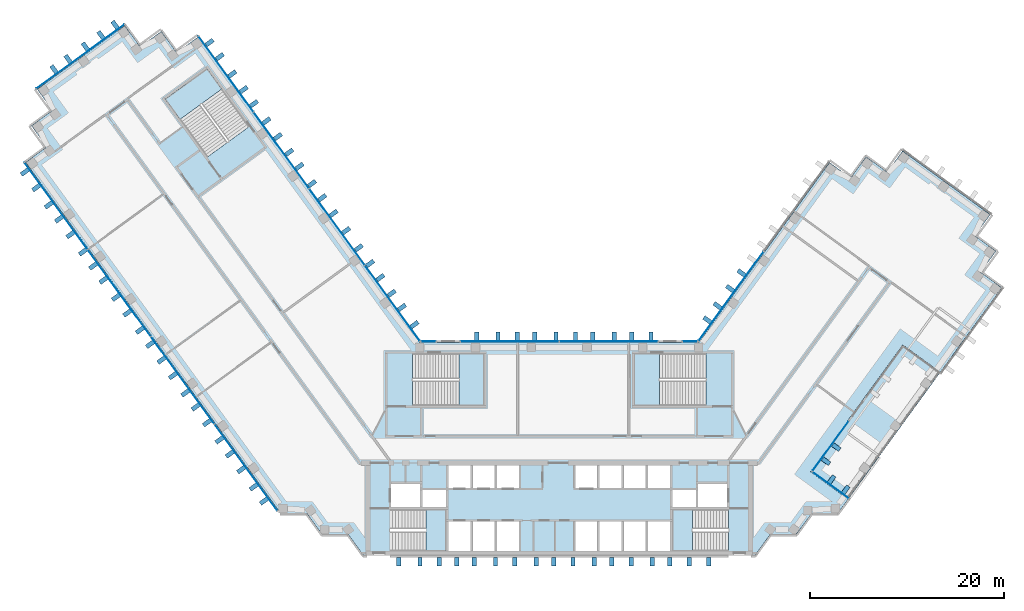
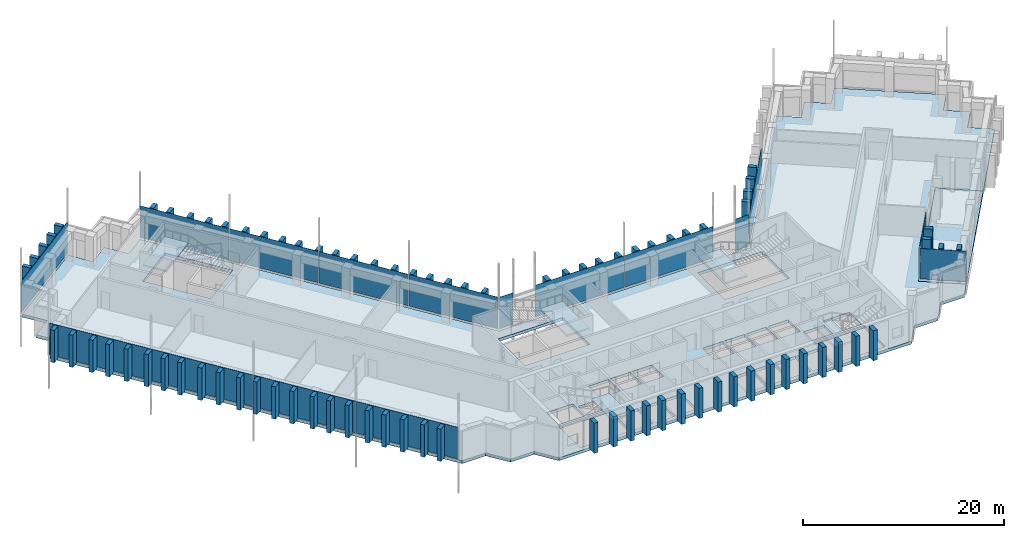
# One storey, part 7 of 17: 97 plates, 7 slabs, 14 elements without a shape of their own.
"""IFC4 building model written with IfcOpenShell, lengths in metres."""

import ifcopenshell
import ifcopenshell.guid

model = None  # the IFC model being written
_history = None  # IfcOwnerHistory: only IFC2X3 demands one
_inside = {}  # id of a spatial element -> (the spatial element, [elements in it])
_under = {}  # id of a project, library or spatial element -> (it, [spatial elements below it])
_declared = {}  # id of a project -> (the project, [libraries it declares])
_typed = {}  # id of a type object -> (the type object, [elements of that type])
_made_of = {}  # id of a material, layer set ... -> (it, [elements and type objects made of it])


def new_model(schema):
    """Start an empty IFC model of exactly this schema.

    Asked for "IFC4X3", IfcOpenShell would pick the latest addendum, in which some entities
    have other attributes; the version numbers below select the first issue.
    IFC2X3 requires an IfcOwnerHistory on every rooted entity: one is made here for all.
    """
    global model, _history
    if schema == "IFC4X3":
        model = ifcopenshell.file(schema_version=(4, 3, 0, 0))
    else:
        model = ifcopenshell.file(schema=schema)
    _inside.clear()
    _under.clear()
    _declared.clear()
    _typed.clear()
    _made_of.clear()
    _history = None
    if model.schema == "IFC2X3":
        org = make("IfcOrganization", Name="unknown")
        user = make(
            "IfcPersonAndOrganization",
            ThePerson=make("IfcPerson", FamilyName="unknown"),
            TheOrganization=org,
        )
        app = make(
            "IfcApplication",
            ApplicationDeveloper=org,
            Version="unknown",
            ApplicationFullName="unknown",
            ApplicationIdentifier="unknown",
        )
        _history = make(
            "IfcOwnerHistory",
            OwningUser=user,
            OwningApplication=app,
            ChangeAction="ADDED",
            CreationDate=0,
        )
    return model


def make(cls, **values):
    """One entity of the class cls with the attributes given. An attribute that is None is left unset."""
    return model.create_entity(
        cls, **{name: value for name, value in values.items() if value is not None}
    )


def rooted(cls, **values):
    """An entity with a GlobalId (a new one), such as an element, a storey or a relation."""
    return make(cls, GlobalId=ifcopenshell.guid.new(), OwnerHistory=_history, **values)


def si_unit(unit_type, name, prefix=None):
    """IfcSIUnit, for example si_unit("LENGTHUNIT", "METRE", prefix="MILLI")."""
    return make("IfcSIUnit", UnitType=unit_type, Prefix=prefix, Name=name)


def assignment(units):
    """IfcUnitAssignment: the units of a project."""
    return None if units is None else make("IfcUnitAssignment", Units=units)


def point(xyz):
    """IfcCartesianPoint."""
    return None if xyz is None else make("IfcCartesianPoint", Coordinates=xyz)


def direction(xyz):
    """IfcDirection."""
    return None if xyz is None else make("IfcDirection", DirectionRatios=xyz)


def frame(location, z_axis=None, x_axis=None):
    """IfcAxis2Placement3D, a coordinate frame: its origin and axes. An axis left out is left unset."""
    return make(
        "IfcAxis2Placement3D",
        Location=point(location),
        Axis=direction(z_axis),
        RefDirection=direction(x_axis),
    )


def frame_2d(location, x_axis=None):
    """IfcAxis2Placement2D, a coordinate frame in the plane: its origin and x axis."""
    return make(
        "IfcAxis2Placement2D", Location=point(location), RefDirection=direction(x_axis)
    )


def origin():
    """The frame at (0, 0, 0) with its axes left unset."""
    return frame((0.0, 0.0, 0.0))


def origin_2d():
    """The frame at (0, 0) in the plane with its x axis left unset."""
    return frame_2d((0.0, 0.0))


def place(relative_to, where):
    """IfcLocalPlacement: puts the frame where relative to a parent placement (None: the world)."""
    return make(
        "IfcLocalPlacement", PlacementRelTo=relative_to, RelativePlacement=where
    )


def context(
    kind, dimensions, precision=None, world=None, true_north=None, identifier=None
):
    """IfcGeometricRepresentationContext, for example the 3D "Model" context."""
    return make(
        "IfcGeometricRepresentationContext",
        ContextIdentifier=identifier,
        ContextType=kind,
        CoordinateSpaceDimension=dimensions,
        Precision=precision,
        WorldCoordinateSystem=world,
        TrueNorth=true_north,
    )


def subcontext(parent, identifier, kind, view, scale=None):
    """IfcGeometricRepresentationSubContext, for example "Body" below "Model"."""
    return make(
        "IfcGeometricRepresentationSubContext",
        ContextIdentifier=identifier,
        ContextType=kind,
        ParentContext=parent,
        TargetScale=scale,
        TargetView=view,
    )


def project(units=None, contexts=None):
    """IfcProject with its units and contexts."""
    return rooted(
        "IfcProject",
        Name="project",
        RepresentationContexts=contexts,
        UnitsInContext=assignment(units),
    )


def spatial(cls, under=None, at=None, **own):
    """A site, building, storey or space (cls), placed at a placement, below another one or the project."""
    s = rooted(cls, ObjectPlacement=at, **own)
    if under is not None:
        _under.setdefault(under.id(), (under, []))[1].append(s)
    return s


def polyline(points):
    """IfcPolyline through the points."""
    return make("IfcPolyline", Points=[point(p) for p in points])


def profile(cls, at=None, kind="AREA", **sizes):
    """A parametric profile (cls). Its sizes go by their IFC names, for example OverallWidth=200.0."""
    return make(cls, ProfileType=kind, Position=at, **sizes)


def rectangle(**sizes):
    """IfcRectangleProfileDef."""
    return profile("IfcRectangleProfileDef", **sizes)


def outline(outer, holes=None, kind="AREA"):
    """IfcArbitraryClosedProfileDef: a profile drawn as a closed curve; with holes, ...WithVoids."""
    if holes is None:
        return make("IfcArbitraryClosedProfileDef", ProfileType=kind, OuterCurve=outer)
    return make(
        "IfcArbitraryProfileDefWithVoids",
        ProfileType=kind,
        OuterCurve=outer,
        InnerCurves=holes,
    )


def extrude(swept, where, along, depth):
    """IfcExtrudedAreaSolid: the profile swept, set in the frame where, extruded along a direction by depth."""
    return make(
        "IfcExtrudedAreaSolid",
        SweptArea=swept,
        Position=where,
        ExtrudedDirection=direction(along),
        Depth=depth,
    )


def shape(context_of_items, identifier, shape_type, items):
    """IfcShapeRepresentation: the items that make up one representation, for example the "Body"."""
    return make(
        "IfcShapeRepresentation",
        ContextOfItems=context_of_items,
        RepresentationIdentifier=identifier,
        RepresentationType=shape_type,
        Items=items,
    )


def material(Name=None, Category=None):
    """IfcMaterial."""
    return make("IfcMaterial", Name=Name, Category=Category)


def layer(
    of_material, thickness, ventilated=None, Name=None, Category=None, Priority=None
):
    """IfcMaterialLayer: one layer of a wall or slab, of a material (None: an air gap)."""
    return make(
        "IfcMaterialLayer",
        Material=of_material,
        LayerThickness=thickness,
        IsVentilated=ventilated,
        Name=Name,
        Category=Category,
        Priority=Priority,
    )


def layer_set(layers, Name=None):
    """IfcMaterialLayerSet."""
    return make("IfcMaterialLayerSet", MaterialLayers=layers, LayerSetName=Name)


def made_of(thing, what):
    """Note that an element or type object is made of a material, layer set ...; save() writes the relation."""
    if what is not None:
        _made_of.setdefault(what.id(), (what, []))[1].append(thing)
    return thing


def type_object(cls, material=None, **own):
    """A type object (cls), such as IfcWallType, which elements share."""
    return made_of(rooted(cls, **own), material)


def element(
    cls,
    number,
    at=None,
    inside=None,
    cuts=None,
    type_object=None,
    material=None,
    context=None,
    identifier="Body",
    shape_type=None,
    held_by="IfcProductDefinitionShape",
    body=None,
    shapes=None,
    **own,
):
    """One element of the class cls, such as IfcWall. Its Tag is "e" and its number.

    at: its placement. inside: the storey or other place that contains it. cuts: it is an
    opening in that element (IfcRelVoidsElement). A single representation is given by context,
    identifier, shape_type and body (its items); several are given by shapes. held_by: the class
    of the entity that holds the representations. save() writes the other relations.
    """
    e = rooted(cls, Tag="e%d" % number, ObjectPlacement=at, **own)
    if body is not None:
        shapes = [shape(context, identifier, shape_type, body)]
    if shapes is not None:
        e.Representation = make(held_by, Representations=shapes)
    if inside is not None:
        _inside.setdefault(inside.id(), (inside, []))[1].append(e)
    if cuts is not None:
        rooted(
            "IfcRelVoidsElement", RelatingBuildingElement=cuts, RelatedOpeningElement=e
        )
    if type_object is not None:
        _typed.setdefault(type_object.id(), (type_object, []))[1].append(e)
    return made_of(e, material)


def aggregate(whole, parts):
    """IfcRelAggregates: a whole, such as a stair, and the parts it consists of."""
    return rooted("IfcRelAggregates", RelatingObject=whole, RelatedObjects=parts)


def save(model, path):
    """Write the relations noted so far, then the file.

    IfcRelAggregates (storeys below a building ...), IfcRelContainedInSpatialStructure (elements
    in a storey), IfcRelDefinesByType, IfcRelAssociatesMaterial and IfcRelDeclares: one each for
    every whole, place, type object, material and project.
    """
    for whole, parts in _under.values():
        aggregate(whole, parts)
    for where, things in _inside.values():
        rooted(
            "IfcRelContainedInSpatialStructure",
            RelatedElements=things,
            RelatingStructure=where,
        )
    for kind, things in _typed.values():
        rooted("IfcRelDefinesByType", RelatedObjects=things, RelatingType=kind)
    for what, things in _made_of.values():
        rooted("IfcRelAssociatesMaterial", RelatedObjects=things, RelatingMaterial=what)
    for by, libraries in _declared.values():
        rooted("IfcRelDeclares", RelatingContext=by, RelatedDefinitions=libraries)
    model.write(path)


model = new_model("IFC4")

# Units and contexts
model_context = context("Model", 3, precision=1e-05, world=origin(), true_north=direction((0.0, 1.0)))
body_context = subcontext(model_context, "Body", "Model", "MODEL_VIEW")
ifc_project = project(units=[si_unit("LENGTHUNIT", "METRE"), si_unit("AREAUNIT", "SQUARE_METRE"), si_unit("VOLUMEUNIT", "CUBIC_METRE"), si_unit("PLANEANGLEUNIT", "RADIAN"), si_unit("MASSUNIT", "GRAM", prefix="KILO")], contexts=[model_context])

# Site, building, storey
site_placement = place(None, origin())
site = spatial("IfcSite", under=ifc_project, at=site_placement, CompositionType="ELEMENT")
building_placement = place(site_placement, origin())
building = spatial("IfcBuilding", under=site, at=building_placement, Name="Quipu Civic Tower", CompositionType="ELEMENT")
storey_placement = place(building_placement, frame((0.0, 0.0, 101.0)))
storey = spatial("IfcBuildingStorey", under=building, at=storey_placement, Name="L23", CompositionType="ELEMENT", Elevation=101.0)

# Slab
ifc_material_1 = material(Name="Concrete C40/50", Category="concrete")
ifc_layer_1 = layer(ifc_material_1, 0.35009765625)
ifc_layer_set_1 = layer_set([ifc_layer_1], Name="Concrete C40/50")
slab_type_1 = type_object("IfcSlabType", Name="Floor slab 350 C40/50", PredefinedType="FLOOR", material=ifc_layer_set_1)
slab_1_placement = place(storey_placement, frame((0.0, 0.0, -0.35009765625)))
element("IfcSlab", 1, at=slab_1_placement, inside=storey, type_object=slab_type_1, Name="Floor slab L23", PredefinedType="FLOOR", context=body_context, shape_type="SweptSolid", body=[
    extrude(outline(polyline([(24.489990234375, -8.81494140625), (21.7900390625, -8.81494140625), (20.205078125, -11.0), (-20.205078125, -11.0), (-21.7900390625, -8.81494140625), (-24.489990234375, -8.81494140625), (-26.080078125, -6.6298828125), (-28.780029296875, -6.6298828125), (-55.114990234375, 29.614990234375), (-52.929931640625, 31.205078125), (-54.514892578125, 33.389892578125), (-52.3349609375, 34.97509765625), (-53.919921875, 37.159912109375), (-44.860107421875, 43.739990234375), (-43.27001953125, 41.56005859375), (-41.0849609375, 43.14501953125), (-39.5, 40.9599609375), (-37.31494140625, 42.550048828125), (-14.39501953125, 11.0), (14.39501953125, 11.0), (27.909912109375, 29.60498046875), (30.094970703125, 28.014892578125), (31.68505859375, 30.199951171875), (33.864990234375, 28.614990234375), (35.455078125, 30.800048828125), (44.514892578125, 24.215087890625), (42.929931640625, 22.030029296875), (45.114990234375, 20.445068359375), (43.52490234375, 18.260009765625), (45.7099609375, 16.669921875), (39.360107421875, 7.93505859375), (35.47998046875, 10.7548828125), (25.955078125, -2.35009765625), (29.840087890625, -5.169921875), (28.780029296875, -6.6298828125), (26.080078125, -6.6298828125), (24.489990234375, -8.81494140625)]), holes=[polyline([(-11.449951171875, -7.5), (-11.449951171875, -10.5), (-9.14990234375, -10.5), (-9.14990234375, -7.5), (-11.449951171875, -7.5)]), polyline([(-8.949951171875, -7.5), (-8.949951171875, -10.5), (-6.64990234375, -10.5), (-6.64990234375, -7.5), (-8.949951171875, -7.5)]), polyline([(-6.449951171875, -7.5), (-6.449951171875, -10.5), (-4.14990234375, -10.5), (-4.14990234375, -7.5), (-6.449951171875, -7.5)]), polyline([(-11.705078125, -10.4951171875), (-11.705078125, -6.2548828125), (-17.4951171875, -6.2548828125), (-17.4951171875, -10.4951171875), (-11.705078125, -10.4951171875)]), polyline([(-11.699951171875, -4.25), (-14.10009765625, -4.25), (-14.10009765625, -6.0), (-11.699951171875, -6.0), (-11.699951171875, -4.25)]), polyline([(-17.35009765625, -3.60009765625), (-17.35009765625, -6.0), (-14.35009765625, -6.0), (-14.35009765625, -3.60009765625), (-17.35009765625, -3.60009765625)]), polyline([(-9.14990234375, -1.699951171875), (-11.449951171875, -1.699951171875), (-11.449951171875, -4.0), (-9.14990234375, -4.0), (-9.14990234375, -1.699951171875)]), polyline([(-6.64990234375, -1.699951171875), (-8.949951171875, -1.699951171875), (-8.949951171875, -4.0), (-6.64990234375, -4.0), (-6.64990234375, -1.699951171875)]), polyline([(-6.449951171875, -1.699951171875), (-6.449951171875, -4.0), (-4.14990234375, -4.0), (-4.14990234375, -1.699951171875), (-6.449951171875, -1.699951171875)]), polyline([(3.949951171875, -1.699951171875), (1.64990234375, -1.699951171875), (1.64990234375, -4.0), (3.949951171875, -4.0), (3.949951171875, -1.699951171875)]), polyline([(-7.7548828125, 4.5048828125), (-7.7548828125, 9.844970703125), (-15.14501953125, 9.844970703125), (-15.14501953125, 4.5048828125), (-7.7548828125, 4.5048828125)]), polyline([(-40.68505859375, 36.135009765625), (-36.344970703125, 30.159912109375), (-32.02490234375, 33.300048828125), (-36.364990234375, 39.27490234375), (-40.68505859375, 36.135009765625)]), polyline([(3.949951171875, -7.5), (1.64990234375, -7.5), (1.64990234375, -10.5), (3.949951171875, -10.5), (3.949951171875, -7.5)]), polyline([(6.449951171875, -7.5), (4.14990234375, -7.5), (4.14990234375, -10.5), (6.449951171875, -10.5), (6.449951171875, -7.5)]), polyline([(6.64990234375, -7.5), (6.64990234375, -10.5), (8.949951171875, -10.5), (8.949951171875, -7.5), (6.64990234375, -7.5)]), polyline([(11.449951171875, -7.5), (9.14990234375, -7.5), (9.14990234375, -10.5), (11.449951171875, -10.5), (11.449951171875, -7.5)]), polyline([(11.705078125, -6.2548828125), (11.705078125, -10.4951171875), (17.4951171875, -10.4951171875), (17.4951171875, -6.2548828125), (11.705078125, -6.2548828125)]), polyline([(11.699951171875, -4.25), (11.699951171875, -6.0), (14.10009765625, -6.0), (14.10009765625, -4.25), (11.699951171875, -4.25)]), polyline([(17.35009765625, -3.60009765625), (14.35009765625, -3.60009765625), (14.35009765625, -6.0), (17.35009765625, -6.0), (17.35009765625, -3.60009765625)]), polyline([(6.449951171875, -1.699951171875), (4.14990234375, -1.699951171875), (4.14990234375, -4.0), (6.449951171875, -4.0), (6.449951171875, -1.699951171875)]), polyline([(6.64990234375, -1.699951171875), (6.64990234375, -4.0), (8.949951171875, -4.0), (8.949951171875, -1.699951171875), (6.64990234375, -1.699951171875)]), polyline([(11.449951171875, -1.699951171875), (9.14990234375, -1.699951171875), (9.14990234375, -4.0), (11.449951171875, -4.0), (11.449951171875, -1.699951171875)]), polyline([(7.7548828125, 9.844970703125), (7.7548828125, 4.5048828125), (15.14501953125, 4.5048828125), (15.14501953125, 9.844970703125), (7.7548828125, 9.844970703125)])]), origin(), (0.0, 0.0, 1.0), 0.35009765625),
])

# Curtain wall, plate
ifc_material_2 = material(Name="Insulated glass unit", Category="glass")
curtain_wall_type = type_object("IfcCurtainWallType", Name="Office curtain wall CW1", PredefinedType="NOTDEFINED", material=ifc_material_2)
curtain_wall_1_placement = place(storey_placement, origin())
curtain_wall_1 = element("IfcCurtainWall", 2, at=curtain_wall_1_placement, inside=storey, type_object=curtain_wall_type, Name="Office curtain wall CW1 L23 run 2", PredefinedType="NOTDEFINED")
ifc_material_3 = material(Name="Insulated glass unit", Category="glass")
ifc_layer_2 = layer(ifc_material_3, 0.028076171875)
ifc_layer_set_2 = layer_set([ifc_layer_2], Name="Insulated glass unit")
plate_type_1 = type_object("IfcPlateType", Name="Glass panel CW1", PredefinedType="CURTAIN_PANEL", material=ifc_layer_set_2)
plate_1_placement = place(storey_placement, frame((28.03759765625, -3.73828125, 0.240234375), z_axis=(0.0, 0.0, 1.0), x_axis=(-0.809008072563, 0.587797531918, 0.0)))
plate_1 = element("IfcPlate", 3, at=plate_1_placement, type_object=plate_type_1, Name="CW1 panel 1.1", PredefinedType="CURTAIN_PANEL", context=body_context, shape_type="SweptSolid", body=[
    extrude(rectangle(XDim=4.639892578125, YDim=0.028076171875, at=origin_2d()), origin(), (0.0, 0.0, 1.0), 3.679931640625),
])
aggregate(curtain_wall_1, [plate_1])

curtain_wall_2_placement = place(storey_placement, origin())
curtain_wall_2 = element("IfcCurtainWall", 4, at=curtain_wall_2_placement, inside=storey, type_object=curtain_wall_type, Name="Office curtain wall CW1 L23 run 3", PredefinedType="NOTDEFINED")
plate_2_placement = place(storey_placement, frame((28.01171875, 0.308837890625, 0.240234375), z_axis=(0.0, 0.0, 1.0), x_axis=(0.587784844747, 0.809017290474, 0.0)))
plate_2 = element("IfcPlate", 5, at=plate_2_placement, type_object=plate_type_1, Name="CW1 panel 1.1", PredefinedType="CURTAIN_PANEL", context=body_context, shape_type="SweptSolid", body=[
    extrude(rectangle(XDim=6.35791015625, YDim=0.028076171875, at=origin_2d()), origin(), (0.0, 0.0, 1.0), 3.679931640625),
])
aggregate(curtain_wall_2, [plate_2])

# Curtain wall, plates
curtain_wall_3_placement = place(storey_placement, origin())
curtain_wall_3 = element("IfcCurtainWall", 6, at=curtain_wall_3_placement, inside=storey, type_object=curtain_wall_type, Name="Office curtain wall CW1 L22 run 10", PredefinedType="NOTDEFINED")
plate_3_placement = place(storey_placement, frame((-17.224609375, 15.064697265625, 0.16015625), z_axis=(0.0, 0.0, 1.0), x_axis=(-0.587785887566, 0.809016532822, 0.0)))
plate_3 = element("IfcPlate", 7, at=plate_3_placement, type_object=plate_type_1, Name="CW1 panel 1.2", PredefinedType="CURTAIN_PANEL", context=body_context, shape_type="SweptSolid", body=[
    extrude(rectangle(XDim=9.64111328125, YDim=0.028076171875, at=origin_2d()), origin(), (0.0, 0.0, 1.0), 3.840087890625),
])
plate_4_placement = place(storey_placement, frame((-22.950439453125, 22.9453125, 0.16015625), z_axis=(0.0, 0.0, 1.0), x_axis=(-0.587785887566, 0.809016532822, 0.0)))
plate_4 = element("IfcPlate", 8, at=plate_4_placement, type_object=plate_type_1, Name="CW1 panel 2.2", PredefinedType="CURTAIN_PANEL", context=body_context, shape_type="SweptSolid", body=[
    extrude(rectangle(XDim=9.68115234375, YDim=0.028076171875, at=origin_2d()), origin(), (0.0, 0.0, 1.0), 3.840087890625),
])
plate_5_placement = place(storey_placement, frame((-28.687744140625, 30.84228515625, 0.16015625), z_axis=(0.0, 0.0, 1.0), x_axis=(-0.587785887566, 0.809016532822, 0.0)))
plate_5 = element("IfcPlate", 9, at=plate_5_placement, type_object=plate_type_1, Name="CW1 panel 3.2", PredefinedType="CURTAIN_PANEL", context=body_context, shape_type="SweptSolid", body=[
    extrude(rectangle(XDim=9.68115234375, YDim=0.028076171875, at=origin_2d()), origin(), (0.0, 0.0, 1.0), 3.840087890625),
])
plate_6_placement = place(storey_placement, frame((-34.413330078125, 38.722900390625, 0.16015625), z_axis=(0.0, 0.0, 1.0), x_axis=(-0.587785887566, 0.809016532822, 0.0)))
plate_6 = element("IfcPlate", 10, at=plate_6_placement, type_object=plate_type_1, Name="CW1 panel 4.2", PredefinedType="CURTAIN_PANEL", context=body_context, shape_type="SweptSolid", body=[
    extrude(rectangle(XDim=9.64111328125, YDim=0.028076171875, at=origin_2d()), origin(), (0.0, 0.0, 1.0), 3.840087890625),
])
aggregate(curtain_wall_3, [plate_3, plate_4, plate_5, plate_6])

# Curtain wall, plate
curtain_wall_4_placement = place(storey_placement, origin())
curtain_wall_4 = element("IfcCurtainWall", 11, at=curtain_wall_4_placement, inside=storey, type_object=curtain_wall_type, Name="Office curtain wall CW1 L22 run 15", PredefinedType="NOTDEFINED")
plate_7_placement = place(storey_placement, frame((-49.447998046875, 40.53173828125, 0.16015625), z_axis=(0.0, 0.0, 1.0), x_axis=(-0.809019348124, -0.587782012621, 0.0)))
plate_7 = element("IfcPlate", 12, at=plate_7_placement, type_object=plate_type_1, Name="CW1 panel 1.2", PredefinedType="CURTAIN_PANEL", context=body_context, shape_type="SweptSolid", body=[
    extrude(rectangle(XDim=11.239990234375, YDim=0.028076171875, at=origin_2d()), origin(), (0.0, 0.0, 1.0), 3.840087890625),
])
aggregate(curtain_wall_4, [plate_7])

# Curtain wall, plates
curtain_wall_5_placement = place(storey_placement, origin())
curtain_wall_5 = element("IfcCurtainWall", 13, at=curtain_wall_5_placement, inside=storey, type_object=curtain_wall_type, Name="Office curtain wall CW1 L22 run 20", PredefinedType="NOTDEFINED")
plate_8_placement = place(storey_placement, frame((-51.967529296875, 25.114990234375, 0.16015625), z_axis=(0.0, 0.0, 1.0), x_axis=(0.587785559869, -0.809016770908, 0.0)))
plate_8 = element("IfcPlate", 14, at=plate_8_placement, type_object=plate_type_1, Name="CW1 panel 1.2", PredefinedType="CURTAIN_PANEL", context=body_context, shape_type="SweptSolid", body=[
    extrude(rectangle(XDim=11.022705078125, YDim=0.028076171875, at=origin_2d()), origin(), (0.0, 0.0, 1.0), 3.840087890625),
])
plate_9_placement = place(storey_placement, frame((-45.4296875, 16.11669921875, 0.16015625), z_axis=(0.0, 0.0, 1.0), x_axis=(0.587785559869, -0.809016770908, 0.0)))
plate_9 = element("IfcPlate", 15, at=plate_9_placement, type_object=plate_type_1, Name="CW1 panel 2.2", PredefinedType="CURTAIN_PANEL", context=body_context, shape_type="SweptSolid", body=[
    extrude(rectangle(XDim=11.062744140625, YDim=0.028076171875, at=origin_2d()), origin(), (0.0, 0.0, 1.0), 3.840087890625),
])
plate_10_placement = place(storey_placement, frame((-38.880126953125, 7.101806640625, 0.16015625), z_axis=(0.0, 0.0, 1.0), x_axis=(0.587785559869, -0.809016770908, 0.0)))
plate_10 = element("IfcPlate", 16, at=plate_10_placement, type_object=plate_type_1, Name="CW1 panel 3.2", PredefinedType="CURTAIN_PANEL", context=body_context, shape_type="SweptSolid", body=[
    extrude(rectangle(XDim=11.062744140625, YDim=0.028076171875, at=origin_2d()), origin(), (0.0, 0.0, 1.0), 3.840087890625),
])
plate_11_placement = place(storey_placement, frame((-32.342529296875, -1.896484375, 0.16015625), z_axis=(0.0, 0.0, 1.0), x_axis=(0.587785559869, -0.809016770908, 0.0)))
plate_11 = element("IfcPlate", 17, at=plate_11_placement, type_object=plate_type_1, Name="CW1 panel 4.2", PredefinedType="CURTAIN_PANEL", context=body_context, shape_type="SweptSolid", body=[
    extrude(rectangle(XDim=11.022705078125, YDim=0.028076171875, at=origin_2d()), origin(), (0.0, 0.0, 1.0), 3.840087890625),
])
aggregate(curtain_wall_5, [plate_8, plate_9, plate_10, plate_11])

# Curtain wall, plate
curtain_wall_6_placement = place(storey_placement, origin())
curtain_wall_6 = element("IfcCurtainWall", 18, at=curtain_wall_6_placement, inside=storey, type_object=curtain_wall_type, Name="Office curtain wall CW1 L22 run 36", PredefinedType="NOTDEFINED")
plate_12_placement = place(storey_placement, frame((17.7421875, 15.777099609375, 0.16015625), z_axis=(0.0, 0.0, 1.0), x_axis=(-0.587788727052, -0.809014469803, 0.0)))
plate_12 = element("IfcPlate", 19, at=plate_12_placement, type_object=plate_type_1, Name="CW1 panel 2.2", PredefinedType="CURTAIN_PANEL", context=body_context, shape_type="SweptSolid", body=[
    extrude(rectangle(XDim=11.402099609375, YDim=0.028076171875, at=origin_2d()), origin(), (0.0, 0.0, 1.0), 3.840087890625),
])
aggregate(curtain_wall_6, [plate_12])

curtain_wall_7_placement = place(storey_placement, origin())
curtain_wall_7 = element("IfcCurtainWall", 20, at=curtain_wall_7_placement, inside=storey, type_object=curtain_wall_type, Name="Office curtain wall CW1 L22 run 37", PredefinedType="NOTDEFINED")
plate_13_placement = place(storey_placement, frame((13.49951171875, 11.10009765625, 0.16015625), z_axis=(0.0, 0.0, 1.0), x_axis=(-1.0, 0.0, 0.0)))
plate_13 = element("IfcPlate", 21, at=plate_13_placement, type_object=plate_type_1, Name="CW1 panel 1.2", PredefinedType="CURTAIN_PANEL", context=body_context, shape_type="SweptSolid", body=[
    extrude(rectangle(XDim=1.529296875, YDim=0.028076171875, at=origin_2d()), origin(), (0.0, 0.0, 1.0), 3.840087890625),
])
aggregate(curtain_wall_7, [plate_13])

# Curtain wall, plates
curtain_wall_8_placement = place(storey_placement, origin())
curtain_wall_8 = element("IfcCurtainWall", 22, at=curtain_wall_8_placement, inside=storey, type_object=curtain_wall_type, Name="Office curtain wall CW1 L22 run 39", PredefinedType="NOTDEFINED")
plate_14_placement = place(storey_placement, frame((5.11181640625, 11.10009765625, 0.16015625), z_axis=(0.0, 0.0, 1.0), x_axis=(-1.0, 0.0, 0.0)))
plate_14 = element("IfcPlate", 23, at=plate_14_placement, type_object=plate_type_1, Name="CW1 panel 1.2", PredefinedType="CURTAIN_PANEL", context=body_context, shape_type="SweptSolid", body=[
    extrude(rectangle(XDim=10.1435546875, YDim=0.028076171875, at=origin_2d()), origin(), (0.0, 0.0, 1.0), 3.840087890625),
])
plate_15_placement = place(storey_placement, frame((-5.11181640625, 11.10009765625, 0.16015625), z_axis=(0.0, 0.0, 1.0), x_axis=(-1.0, 0.0, 0.0)))
plate_15 = element("IfcPlate", 24, at=plate_15_placement, type_object=plate_type_1, Name="CW1 panel 2.2", PredefinedType="CURTAIN_PANEL", context=body_context, shape_type="SweptSolid", body=[
    extrude(rectangle(XDim=10.1435546875, YDim=0.028076171875, at=origin_2d()), origin(), (0.0, 0.0, 1.0), 3.840087890625),
])
aggregate(curtain_wall_8, [plate_14, plate_15])

# Curtain wall, plate
curtain_wall_9_placement = place(storey_placement, origin())
curtain_wall_9 = element("IfcCurtainWall", 25, at=curtain_wall_9_placement, inside=storey, type_object=curtain_wall_type, Name="Office curtain wall CW1 L22 run 41", PredefinedType="NOTDEFINED")
plate_16_placement = place(storey_placement, frame((-13.49951171875, 11.10009765625, 0.16015625), z_axis=(0.0, 0.0, 1.0), x_axis=(-1.0, 0.0, 0.0)))
plate_16 = element("IfcPlate", 26, at=plate_16_placement, type_object=plate_type_1, Name="CW1 panel 1.2", PredefinedType="CURTAIN_PANEL", context=body_context, shape_type="SweptSolid", body=[
    extrude(rectangle(XDim=1.529296875, YDim=0.028076171875, at=origin_2d()), origin(), (0.0, 0.0, 1.0), 3.840087890625),
])
aggregate(curtain_wall_9, [plate_16])

# Plates
ifc_material_4 = material(Name="Precast concrete C40/50", Category="concrete")
plate_type_2 = type_object("IfcPlateType", Name="Precast fin F1", PredefinedType="SHEET", material=ifc_material_4)
for number, where, z_axis, x_axis, name in (
    (27, (29.5947265625, -4.189697265625, 0.080078125), (0.0, 0.0, 1.0), (-0.809008072563, 0.587797531918, 0.0), "Precast fin F1 L23.2.1"),
    (28, (28.138427734375, -3.1318359375, 0.080078125), (0.0, 0.0, 1.0), (-0.809008072563, 0.587797531918, 0.0), "Precast fin F1 L23.2.2"),
    (29, (27.554931640625, -1.25537109375, 0.080078125), (0.0, 0.0, 1.0), (0.587786610933, 0.809016007263, 0.0), "Precast fin F1 L23.3.1"),
    (30, (28.613037109375, 0.200927734375, 0.080078125), (0.0, 0.0, 1.0), (0.587786610933, 0.809016007263, 0.0), "Precast fin F1 L23.3.2"),
    (31, (-14.942138671875, 12.8583984375, 0.080078125), (0.0, 0.0, 1.0), (-0.587784944053, 0.809017218324, 0.0), "Precast fin F1 L23.P06.1"),
    (32, (-16.235107421875, 14.638427734375, 0.080078125), (0.0, 0.0, 1.0), (-0.587784944053, 0.809017218324, 0.0), "Precast fin F1 L23.P06.2"),
    (33, (-17.293212890625, 16.094482421875, 0.080078125), (0.0, 0.0, 1.0), (-0.587784944053, 0.809017218324, 0.0), "Precast fin F1 L23.P06.3"),
    (34, (-18.46875, 17.712646484375, 0.080078125), (0.0, 0.0, 1.0), (-0.587784944053, 0.809017218324, 0.0), "Precast fin F1 L23.P06.4"),
    (35, (-19.52685546875, 19.1689453125, 0.080078125), (0.0, 0.0, 1.0), (-0.587784944053, 0.809017218324, 0.0), "Precast fin F1 L23.P06.5"),
    (36, (-20.702392578125, 20.786865234375, 0.080078125), (0.0, 0.0, 1.0), (-0.587784944053, 0.809017218324, 0.0), "Precast fin F1 L23.P06.6"),
    (37, (-21.995361328125, 22.566650390625, 0.080078125), (0.0, 0.0, 1.0), (-0.587784944053, 0.809017218324, 0.0), "Precast fin F1 L23.P06.7"),
    (38, (-23.28857421875, 24.3466796875, 0.080078125), (0.0, 0.0, 1.0), (-0.587784944053, 0.809017218324, 0.0), "Precast fin F1 L23.P06.8"),
    (39, (-24.464111328125, 25.964599609375, 0.080078125), (0.0, 0.0, 1.0), (-0.587784944053, 0.809017218324, 0.0), "Precast fin F1 L23.P06.9"),
    (40, (-25.522216796875, 27.4208984375, 0.080078125), (0.0, 0.0, 1.0), (-0.587784944053, 0.809017218324, 0.0), "Precast fin F1 L23.P06.10"),
    (41, (-26.815185546875, 29.20068359375, 0.080078125), (0.0, 0.0, 1.0), (-0.587784944053, 0.809017218324, 0.0), "Precast fin F1 L23.P06.11"),
    (42, (-27.873291015625, 30.656982421875, 0.080078125), (0.0, 0.0, 1.0), (-0.587784944053, 0.809017218324, 0.0), "Precast fin F1 L23.P06.12"),
    (43, (-29.048828125, 32.27490234375, 0.080078125), (0.0, 0.0, 1.0), (-0.587784944053, 0.809017218324, 0.0), "Precast fin F1 L23.P06.13"),
    (44, (-30.224365234375, 33.89306640625, 0.080078125), (0.0, 0.0, 1.0), (-0.587784944053, 0.809017218324, 0.0), "Precast fin F1 L23.P06.14"),
    (45, (-31.517578125, 35.6728515625, 0.080078125), (0.0, 0.0, 1.0), (-0.587784944053, 0.809017218324, 0.0), "Precast fin F1 L23.P06.15"),
    (46, (-32.57568359375, 37.129150390625, 0.080078125), (0.0, 0.0, 1.0), (-0.587784944053, 0.809017218324, 0.0), "Precast fin F1 L23.P06.16"),
    (47, (-33.751220703125, 38.7470703125, 0.080078125), (0.0, 0.0, 1.0), (-0.587784944053, 0.809017218324, 0.0), "Precast fin F1 L23.P06.17"),
    (48, (-35.044189453125, 40.52685546875, 0.080078125), (0.0, 0.0, 1.0), (-0.587784944053, 0.809017218324, 0.0), "Precast fin F1 L23.P06.18"),
    (49, (-36.102294921875, 41.983154296875, 0.080078125), (0.0, 0.0, 1.0), (-0.587784944053, 0.809017218324, 0.0), "Precast fin F1 L23.P06.19"),
    (50, (-45.867919921875, 43.812744140625, 0.080078125), (0.0, 0.0, 1.0), (-0.809021318545, -0.587779300537, 0.0), "Precast fin F1 L23.P11.1"),
    (51, (-47.323974609375, 42.754638671875, 0.080078125), (0.0, 0.0, 1.0), (-0.809021318545, -0.587779300537, 0.0), "Precast fin F1 L23.P11.2"),
    (52, (-48.942138671875, 41.5791015625, 0.080078125), (0.0, 0.0, 1.0), (-0.809021318545, -0.587779300537, 0.0), "Precast fin F1 L23.P11.3"),
    (53, (-50.721923828125, 40.2861328125, 0.080078125), (0.0, 0.0, 1.0), (-0.809021318545, -0.587779300537, 0.0), "Precast fin F1 L23.P11.4"),
    (54, (-52.17822265625, 39.22802734375, 0.080078125), (0.0, 0.0, 1.0), (-0.809021318545, -0.587779300537, 0.0), "Precast fin F1 L23.P11.5"),
    (55, (-55.184814453125, 28.607421875, 0.080078125), (0.0, 0.0, 1.0), (0.587785716149, -0.809016657363, 0.0), "Precast fin F1 L23.P16.1"),
    (56, (-54.00927734375, 26.989501953125, 0.080078125), (0.0, 0.0, 1.0), (0.587785716149, -0.809016657363, 0.0), "Precast fin F1 L23.P16.2"),
    (57, (-52.716064453125, 25.20947265625, 0.080078125), (0.0, 0.0, 1.0), (0.587785716149, -0.809016657363, 0.0), "Precast fin F1 L23.P16.3"),
    (58, (-51.657958984375, 23.75341796875, 0.080078125), (0.0, 0.0, 1.0), (0.587785716149, -0.809016657363, 0.0), "Precast fin F1 L23.P16.4"),
    (59, (-50.482421875, 22.13525390625, 0.080078125), (0.0, 0.0, 1.0), (0.587785716149, -0.809016657363, 0.0), "Precast fin F1 L23.P16.5"),
    (60, (-49.189208984375, 20.35546875, 0.080078125), (0.0, 0.0, 1.0), (0.587785716149, -0.809016657363, 0.0), "Precast fin F1 L23.P16.6"),
    (61, (-48.13134765625, 18.899169921875, 0.080078125), (0.0, 0.0, 1.0), (0.587785716149, -0.809016657363, 0.0), "Precast fin F1 L23.P16.7"),
    (62, (-47.0732421875, 17.443115234375, 0.080078125), (0.0, 0.0, 1.0), (0.587785716149, -0.809016657363, 0.0), "Precast fin F1 L23.P16.8"),
    (63, (-45.7802734375, 15.6630859375, 0.080078125), (0.0, 0.0, 1.0), (0.587785716149, -0.809016657363, 0.0), "Precast fin F1 L23.P16.9"),
    (64, (-44.6044921875, 14.045166015625, 0.080078125), (0.0, 0.0, 1.0), (0.587785716149, -0.809016657363, 0.0), "Precast fin F1 L23.P16.10"),
    (65, (-43.3115234375, 12.265380859375, 0.080078125), (0.0, 0.0, 1.0), (0.587785716149, -0.809016657363, 0.0), "Precast fin F1 L23.P16.11"),
    (66, (-42.25341796875, 10.80908203125, 0.080078125), (0.0, 0.0, 1.0), (0.587785716149, -0.809016657363, 0.0), "Precast fin F1 L23.P16.12"),
    (67, (-41.077880859375, 9.191162109375, 0.080078125), (0.0, 0.0, 1.0), (0.587785716149, -0.809016657363, 0.0), "Precast fin F1 L23.P16.13"),
    (68, (-39.90234375, 7.572998046875, 0.080078125), (0.0, 0.0, 1.0), (0.587785716149, -0.809016657363, 0.0), "Precast fin F1 L23.P16.14"),
    (69, (-38.609130859375, 5.793212890625, 0.080078125), (0.0, 0.0, 1.0), (0.587785716149, -0.809016657363, 0.0), "Precast fin F1 L23.P16.15"),
    (70, (-37.55126953125, 4.3369140625, 0.080078125), (0.0, 0.0, 1.0), (0.587785716149, -0.809016657363, 0.0), "Precast fin F1 L23.P16.16"),
    (71, (-36.37548828125, 2.718994140625, 0.080078125), (0.0, 0.0, 1.0), (0.587785716149, -0.809016657363, 0.0), "Precast fin F1 L23.P16.17"),
    (72, (-35.08251953125, 0.93896484375, 0.080078125), (0.0, 0.0, 1.0), (0.587785716149, -0.809016657363, 0.0), "Precast fin F1 L23.P16.18"),
    (73, (-34.0244140625, -0.51708984375, 0.080078125), (0.0, 0.0, 1.0), (0.587785716149, -0.809016657363, 0.0), "Precast fin F1 L23.P16.19"),
    (74, (-32.848876953125, -2.13525390625, 0.080078125), (0.0, 0.0, 1.0), (0.587785716149, -0.809016657363, 0.0), "Precast fin F1 L23.P16.20"),
    (75, (-31.5556640625, -3.9150390625, 0.080078125), (0.0, 0.0, 1.0), (0.587785716149, -0.809016657363, 0.0), "Precast fin F1 L23.P16.21"),
    (76, (-30.497802734375, -5.371337890625, 0.080078125), (0.0, 0.0, 1.0), (0.587785716149, -0.809016657363, 0.0), "Precast fin F1 L23.P16.22"),
):
    element("IfcPlate", number, at=place(storey_placement, frame(where, z_axis=z_axis, x_axis=x_axis)), inside=storey, type_object=plate_type_2, Name=name, PredefinedType="SHEET", context=body_context, shape_type="SweptSolid", body=[
        extrude(rectangle(XDim=0.449951171875, YDim=0.89990234375, at=origin_2d()), origin(), (0.0, 0.0, 1.0), 3.919921875),
    ])
for number, where, z_axis, x_axis, name in (
    (77, (-16.574951171875, -11.637939453125, 0.0), (0.0, 0.0, 1.0), (1.0, 0.0, 0.0), "Precast fin F1 L23.P23.1"),
    (78, (-14.375, -11.637939453125, 0.0), (0.0, 0.0, 1.0), (1.0, 0.0, 0.0), "Precast fin F1 L23.P23.2"),
    (79, (-12.375, -11.637939453125, 0.0), (0.0, 0.0, 1.0), (1.0, 0.0, 0.0), "Precast fin F1 L23.P23.3"),
    (80, (-10.574951171875, -11.637939453125, 0.0), (0.0, 0.0, 1.0), (1.0, 0.0, 0.0), "Precast fin F1 L23.P23.4"),
    (81, (-8.77490234375, -11.637939453125, 0.0), (0.0, 0.0, 1.0), (1.0, 0.0, 0.0), "Precast fin F1 L23.P23.5"),
    (82, (-6.574951171875, -11.637939453125, 0.0), (0.0, 0.0, 1.0), (1.0, 0.0, 0.0), "Precast fin F1 L23.P23.6"),
    (83, (-4.574951171875, -11.637939453125, 0.0), (0.0, 0.0, 1.0), (1.0, 0.0, 0.0), "Precast fin F1 L23.P23.7"),
    (84, (-2.375, -11.637939453125, 0.0), (0.0, 0.0, 1.0), (1.0, 0.0, 0.0), "Precast fin F1 L23.P23.8"),
    (85, (-0.574951171875, -11.637939453125, 0.0), (0.0, 0.0, 1.0), (1.0, 0.0, 0.0), "Precast fin F1 L23.P23.9"),
    (86, (1.425048828125, -11.637939453125, 0.0), (0.0, 0.0, 1.0), (1.0, 0.0, 0.0), "Precast fin F1 L23.P23.10"),
    (87, (3.625, -11.637939453125, 0.0), (0.0, 0.0, 1.0), (1.0, 0.0, 0.0), "Precast fin F1 L23.P23.11"),
    (88, (5.425048828125, -11.637939453125, 0.0), (0.0, 0.0, 1.0), (1.0, 0.0, 0.0), "Precast fin F1 L23.P23.12"),
    (89, (7.425048828125, -11.637939453125, 0.0), (0.0, 0.0, 1.0), (1.0, 0.0, 0.0), "Precast fin F1 L23.P23.13"),
    (90, (9.625, -11.637939453125, 0.0), (0.0, 0.0, 1.0), (1.0, 0.0, 0.0), "Precast fin F1 L23.P23.14"),
    (91, (11.425048828125, -11.637939453125, 0.0), (0.0, 0.0, 1.0), (1.0, 0.0, 0.0), "Precast fin F1 L23.P23.15"),
    (92, (13.425048828125, -11.637939453125, 0.0), (0.0, 0.0, 1.0), (1.0, 0.0, 0.0), "Precast fin F1 L23.P23.16"),
    (93, (15.425048828125, -11.637939453125, 0.0), (0.0, 0.0, 1.0), (1.0, 0.0, 0.0), "Precast fin F1 L23.P23.17"),
):
    element("IfcPlate", number, at=place(storey_placement, frame(where, z_axis=z_axis, x_axis=x_axis)), inside=storey, type_object=plate_type_2, Name=name, PredefinedType="SHEET", context=body_context, shape_type="SweptSolid", body=[
        extrude(rectangle(XDim=0.449951171875, YDim=0.89990234375, at=origin_2d()), origin(), (0.0, 0.0, 1.0), 3.64990234375),
    ])
for number, where, z_axis, x_axis, name in (
    (94, (18.818603515625, 18.194091796875, 0.080078125), (0.0, 0.0, 1.0), (-0.587787133119, -0.809015627871, 0.0), "Precast fin F1 L23.P33.8"),
    (95, (17.64306640625, 16.576171875, 0.080078125), (0.0, 0.0, 1.0), (-0.587787133119, -0.809015627871, 0.0), "Precast fin F1 L23.P33.9"),
    (96, (16.349853515625, 14.79638671875, 0.080078125), (0.0, 0.0, 1.0), (-0.587787133119, -0.809015627871, 0.0), "Precast fin F1 L23.P33.10"),
    (97, (15.2919921875, 13.340087890625, 0.080078125), (0.0, 0.0, 1.0), (-0.587787133119, -0.809015627871, 0.0), "Precast fin F1 L23.P33.11"),
    (98, (9.47509765625, 11.64990234375, 0.080078125), (0.0, 0.0, 1.0), (-1.0, 0.0, 0.0), "Precast fin F1 L23.P36.1"),
    (99, (7.47509765625, 11.64990234375, 0.080078125), (0.0, 0.0, 1.0), (-1.0, 0.0, 0.0), "Precast fin F1 L23.P36.2"),
    (100, (5.675048828125, 11.64990234375, 0.080078125), (0.0, 0.0, 1.0), (-1.0, 0.0, 0.0), "Precast fin F1 L23.P36.3"),
    (101, (3.47509765625, 11.64990234375, 0.080078125), (0.0, 0.0, 1.0), (-1.0, 0.0, 0.0), "Precast fin F1 L23.P36.4"),
    (102, (1.675048828125, 11.64990234375, 0.080078125), (0.0, 0.0, 1.0), (-1.0, 0.0, 0.0), "Precast fin F1 L23.P36.5"),
    (103, (-0.324951171875, 11.64990234375, 0.080078125), (0.0, 0.0, 1.0), (-1.0, 0.0, 0.0), "Precast fin F1 L23.P36.6"),
    (104, (-2.52490234375, 11.64990234375, 0.080078125), (0.0, 0.0, 1.0), (-1.0, 0.0, 0.0), "Precast fin F1 L23.P36.7"),
    (105, (-4.324951171875, 11.64990234375, 0.080078125), (0.0, 0.0, 1.0), (-1.0, 0.0, 0.0), "Precast fin F1 L23.P36.8"),
    (106, (-6.324951171875, 11.64990234375, 0.080078125), (0.0, 0.0, 1.0), (-1.0, 0.0, 0.0), "Precast fin F1 L23.P36.9"),
    (107, (-8.52490234375, 11.64990234375, 0.080078125), (0.0, 0.0, 1.0), (-1.0, 0.0, 0.0), "Precast fin F1 L23.P36.10"),
):
    element("IfcPlate", number, at=place(storey_placement, frame(where, z_axis=z_axis, x_axis=x_axis)), inside=storey, type_object=plate_type_2, Name=name, PredefinedType="SHEET", context=body_context, shape_type="SweptSolid", body=[
        extrude(rectangle(XDim=0.449951171875, YDim=0.89990234375, at=origin_2d()), origin(), (0.0, 0.0, 1.0), 3.919921875),
    ])

# Stair, slab
ifc_material_5 = material(Name="Concrete C40/50", Category="concrete")
stair_type_1 = type_object("IfcStairType", Name="Half turn stair 2000", PredefinedType="HALF_TURN_STAIR", material=ifc_material_5)
stair_1_placement = place(storey_placement, origin())
stair_1 = element("IfcStair", 108, at=stair_1_placement, inside=storey, type_object=stair_type_1, Name="Exit stair 1", PredefinedType="HALF_TURN_STAIR")
ifc_material_6 = material(Name="Concrete C40/50", Category="concrete")
ifc_layer_3 = layer(ifc_material_6, 0.199951171875)
ifc_layer_set_3 = layer_set([ifc_layer_3], Name="Concrete C40/50")
slab_type_2 = type_object("IfcSlabType", Name="Stair landing 200", PredefinedType="LANDING", material=ifc_layer_set_3)
slab_2_placement = place(storey_placement, frame((0.0, 0.0, 1.800048828125)))
slab_2 = element("IfcSlab", 109, at=slab_2_placement, type_object=slab_type_2, Name="ST-1 landing 1", PredefinedType="LANDING", context=body_context, shape_type="SweptSolid", body=[
    extrude(outline(polyline([(-13.780029296875, -10.5), (-11.699951171875, -10.5), (-11.699951171875, -6.25), (-13.780029296875, -6.25), (-13.780029296875, -10.5)])), origin(), (0.0, 0.0, 1.0), 0.199951171875),
])
aggregate(stair_1, [slab_2])

stair_2_placement = place(storey_placement, origin())
stair_2 = element("IfcStair", 110, at=stair_2_placement, inside=storey, type_object=stair_type_1, Name="Exit stair 2", PredefinedType="HALF_TURN_STAIR")
slab_3_placement = place(storey_placement, frame((0.0, 0.0, 1.800048828125)))
slab_3 = element("IfcSlab", 111, at=slab_3_placement, type_object=slab_type_2, Name="ST-2 landing 1", PredefinedType="LANDING", context=body_context, shape_type="SweptSolid", body=[
    extrude(outline(polyline([(13.780029296875, -6.25), (11.699951171875, -6.25), (11.699951171875, -10.5), (13.780029296875, -10.5), (13.780029296875, -6.25)])), origin(), (0.0, 0.0, 1.0), 0.199951171875),
])
aggregate(stair_2, [slab_3])

ifc_material_7 = material(Name="Concrete C40/50", Category="concrete")
stair_type_2 = type_object("IfcStairType", Name="Half turn stair 2600", PredefinedType="HALF_TURN_STAIR", material=ifc_material_7)
stair_3_placement = place(storey_placement, origin())
stair_3 = element("IfcStair", 112, at=stair_3_placement, inside=storey, type_object=stair_type_2, Name="Exit stair 3", PredefinedType="HALF_TURN_STAIR")
slab_4_placement = place(storey_placement, frame((0.0, 0.0, 1.800048828125)))
slab_4 = element("IfcSlab", 113, at=slab_4_placement, type_object=slab_type_2, Name="ST-3 landing 1", PredefinedType="LANDING", context=body_context, shape_type="SweptSolid", body=[
    extrude(outline(polyline([(-10.35009765625, 4.5), (-7.75, 4.5), (-7.75, 9.85009765625), (-10.35009765625, 9.85009765625), (-10.35009765625, 4.5)])), origin(), (0.0, 0.0, 1.0), 0.199951171875),
])
aggregate(stair_3, [slab_4])

stair_4_placement = place(storey_placement, origin())
stair_4 = element("IfcStair", 114, at=stair_4_placement, inside=storey, type_object=stair_type_2, Name="Exit stair 4", PredefinedType="HALF_TURN_STAIR")
slab_5_placement = place(storey_placement, frame((0.0, 0.0, 1.800048828125)))
slab_5 = element("IfcSlab", 115, at=slab_5_placement, type_object=slab_type_2, Name="ST-4 landing 1", PredefinedType="LANDING", context=body_context, shape_type="SweptSolid", body=[
    extrude(outline(polyline([(10.35009765625, 9.85009765625), (7.75, 9.85009765625), (7.75, 4.5), (10.35009765625, 4.5), (10.35009765625, 9.85009765625)])), origin(), (0.0, 0.0, 1.0), 0.199951171875),
])
aggregate(stair_4, [slab_5])

stair_5_placement = place(storey_placement, origin())
stair_5 = element("IfcStair", 116, at=stair_5_placement, inside=storey, type_object=stair_type_2, Name="Exit stair 6", PredefinedType="HALF_TURN_STAIR")
slab_6_placement = place(storey_placement, frame((0.0, 0.0, 1.800048828125)))
slab_6 = element("IfcSlab", 117, at=slab_6_placement, type_object=slab_type_2, Name="ST-6 landing 1", PredefinedType="LANDING", context=body_context, shape_type="SweptSolid", body=[
    extrude(outline(polyline([(-34.837158203125, 37.179443359375), (-36.365478515625, 39.282958984375), (-40.69384765625, 36.138427734375), (-39.16552734375, 34.034912109375), (-34.837158203125, 37.179443359375)])), origin(), (0.0, 0.0, 1.0), 0.199951171875),
])
aggregate(stair_5, [slab_6])

# Slab
ifc_material_8 = material(Name="Concrete C40/50", Category="concrete")
ifc_layer_4 = layer(ifc_material_8, 0.35009765625)
ifc_layer_set_4 = layer_set([ifc_layer_4], Name="Concrete C40/50")
slab_type_3 = type_object("IfcSlabType", Name="Terrace slab 350 C40/50", PredefinedType="FLOOR", material=ifc_layer_set_4)
slab_7_placement = place(storey_placement, frame((0.0, 0.0, -0.35009765625)))
element("IfcSlab", 118, at=slab_7_placement, inside=storey, type_object=slab_type_3, Name="Terrace slab L23", PredefinedType="FLOOR", context=body_context, shape_type="SweptSolid", body=[
    extrude(outline(polyline([(39.360107421875, 7.93505859375), (29.840087890625, -5.169921875), (25.955078125, -2.35009765625), (35.47998046875, 10.7548828125), (39.360107421875, 7.93505859375)])), origin(), (0.0, 0.0, 1.0), 0.35009765625),
])

save(model, "model.ifc")
